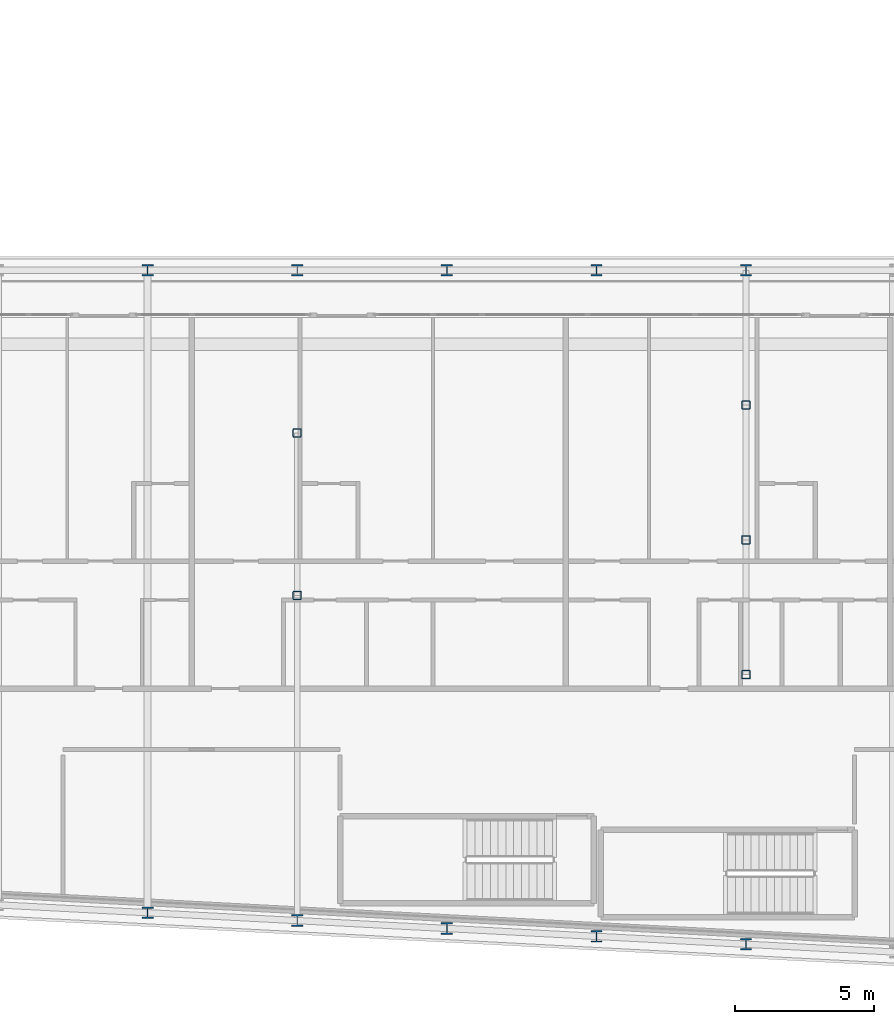
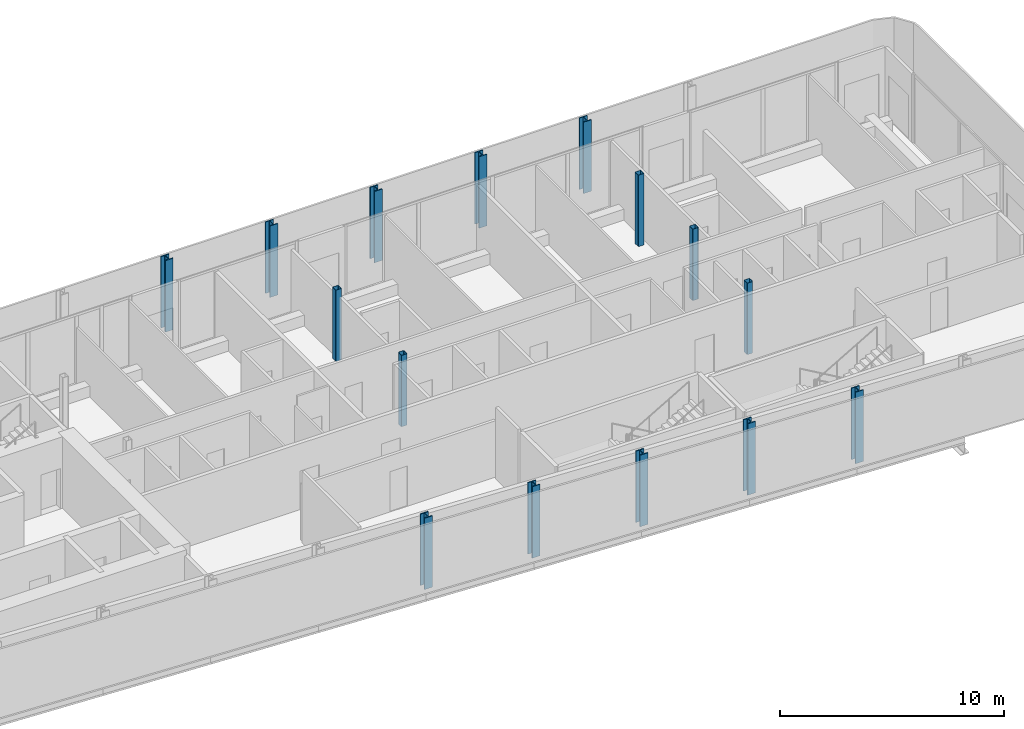
# One storey, part 2 of 28: 15 columns.
"""IFC4 building model written with IfcOpenShell, lengths in metres."""

from ifc_helpers import new_model, si_unit, direction, frame, origin, origin_2d, place, context, subcontext, project, spatial, hollow_rectangle, i_section, extrude, material, material_profile, profile_set, type_object, element, save


model = new_model("IFC4")

# Units and contexts
model_context = context("Model", 3, precision=1e-05, world=origin(), true_north=direction((0.0, 1.0)))
body_context = subcontext(model_context, "Body", "Model", "MODEL_VIEW")
ifc_project = project(units=[si_unit("LENGTHUNIT", "METRE"), si_unit("AREAUNIT", "SQUARE_METRE"), si_unit("VOLUMEUNIT", "CUBIC_METRE"), si_unit("PLANEANGLEUNIT", "RADIAN"), si_unit("MASSUNIT", "GRAM", prefix="KILO")], contexts=[model_context])

# Site, building, storey
site_placement = place(None, origin())
site = spatial("IfcSite", under=ifc_project, at=site_placement, CompositionType="ELEMENT")
building_placement = place(site_placement, origin())
building = spatial("IfcBuilding", under=site, at=building_placement, Name="Kheshtan School and Residences Tower", CompositionType="ELEMENT")
storey_placement = place(building_placement, frame((0.0, 0.0, 187.699951171875)))
storey = spatial("IfcBuildingStorey", under=building, at=storey_placement, Name="L44", CompositionType="ELEMENT", Elevation=187.699951171875)

# Columns
ifc_material_1 = material(Name="Steel ASTM A992 Grade 50", Category="steel")
ifc_material_profile_1 = material_profile(ifc_material_1, i_section(OverallWidth=0.408935546875, OverallDepth=0.425048828125, WebThickness=0.03271484375, FlangeThickness=0.052490234375, FilletRadius=0.0126953125, at=origin_2d()), Name="W360x421")
ifc_profile_set_1 = profile_set([ifc_material_profile_1], Name="Steel ASTM A992 Grade 50")
column_type_1 = type_object("IfcColumnType", Name="Column C3 W360x421 ASTM A992 Grade 50", PredefinedType="COLUMN", material=ifc_profile_set_1)
for number, where, z_axis, x_axis, name in (
    (1, (85.39990234375, 21.27392578125, 0.0), (0.0, 0.0, 1.0), (1.0, 0.0, 0.0), "Column C008"),
    (2, (80.0, 21.55810546875, 0.0), (0.0, 0.0, 1.0), (1.0, 0.0, 0.0), "Column C012"),
    (3, (74.60009765625, 21.843017578125, 0.0), (0.0, 0.0, 1.0), (1.0, 0.0, 0.0), "Column C013"),
    (4, (69.199951171875, 22.126953125, 0.0), (0.0, 0.0, 1.0), (1.0, 0.0, 0.0), "Column C014"),
    (5, (63.800048828125, 22.410888671875, 0.0), (0.0, 0.0, 1.0), (1.0, 0.0, 0.0), "Column C016"),
    (6, (63.800048828125, 45.60009765625, 0.0), (0.0, 0.0, 1.0), (1.0, 0.0, 0.0), "Column C063"),
    (7, (69.199951171875, 45.60009765625, 0.0), (0.0, 0.0, 1.0), (1.0, 0.0, 0.0), "Column C064"),
    (8, (74.60009765625, 45.60009765625, 0.0), (0.0, 0.0, 1.0), (1.0, 0.0, 0.0), "Column C065"),
    (9, (80.0, 45.60009765625, 0.0), (0.0, 0.0, 1.0), (1.0, 0.0, 0.0), "Column C066"),
    (10, (85.39990234375, 45.60009765625, 0.0), (0.0, 0.0, 1.0), (1.0, 0.0, 0.0), "Column C067"),
):
    element("IfcColumn", number, at=place(storey_placement, frame(where, z_axis=z_axis, x_axis=x_axis)), inside=storey, type_object=column_type_1, Name=name, PredefinedType="COLUMN", context=body_context, shape_type="SweptSolid", body=[
        extrude(i_section(OverallWidth=0.408935546875, OverallDepth=0.425048828125, WebThickness=0.03271484375, FlangeThickness=0.052490234375, FilletRadius=0.0126953125, at=origin_2d()), origin(), (0.0, 0.0, 1.0), 3.900146484375),
    ])
ifc_material_2 = material(Name="Steel ASTM A500 Grade C", Category="steel")
ifc_material_profile_2 = material_profile(ifc_material_2, hollow_rectangle(XDim=0.304931640625, YDim=0.304931640625, WallThickness=0.015869140625, InnerFilletRadius=0.015869140625, OuterFilletRadius=0.03173828125, at=origin_2d()), Name="HSS 305x305x15.9")
ifc_profile_set_2 = profile_set([ifc_material_profile_2], Name="Steel ASTM A500 Grade C")
column_type_2 = type_object("IfcColumnType", Name="Column IC2 HSS 305x305x15.9 ASTM A500 Grade C", PredefinedType="COLUMN", material=ifc_profile_set_2)
for number, where, z_axis, x_axis, name in (
    (11, (85.39990234375, 31.0048828125, 0.0), (0.0, 0.0, 1.0), (1.0, 0.0, 0.0), "Column C049"),
    (12, (69.199951171875, 33.863037109375, 0.0), (0.0, 0.0, 1.0), (1.0, 0.0, 0.0), "Column C050"),
    (13, (85.39990234375, 35.8701171875, 0.0), (0.0, 0.0, 1.0), (1.0, 0.0, 0.0), "Column C053"),
    (14, (69.199951171875, 39.73193359375, 0.0), (0.0, 0.0, 1.0), (1.0, 0.0, 0.0), "Column C054"),
    (15, (85.39990234375, 40.735107421875, 0.0), (0.0, 0.0, 1.0), (1.0, 0.0, 0.0), "Column C057"),
):
    element("IfcColumn", number, at=place(storey_placement, frame(where, z_axis=z_axis, x_axis=x_axis)), inside=storey, type_object=column_type_2, Name=name, PredefinedType="COLUMN", context=body_context, shape_type="SweptSolid", body=[
        extrude(hollow_rectangle(XDim=0.304931640625, YDim=0.304931640625, WallThickness=0.015869140625, InnerFilletRadius=0.015869140625, OuterFilletRadius=0.03173828125, at=origin_2d()), origin(), (0.0, 0.0, 1.0), 3.900146484375),
    ])

save(model, "model.ifc")
